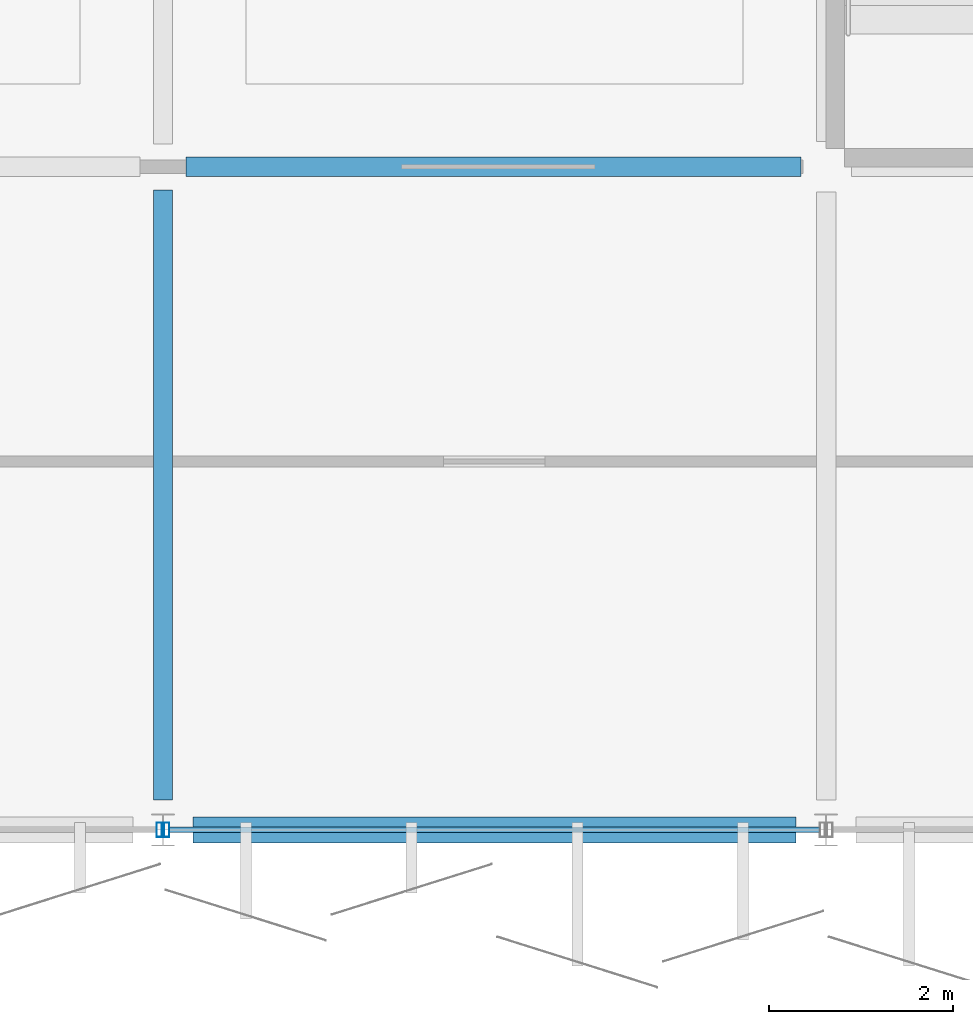
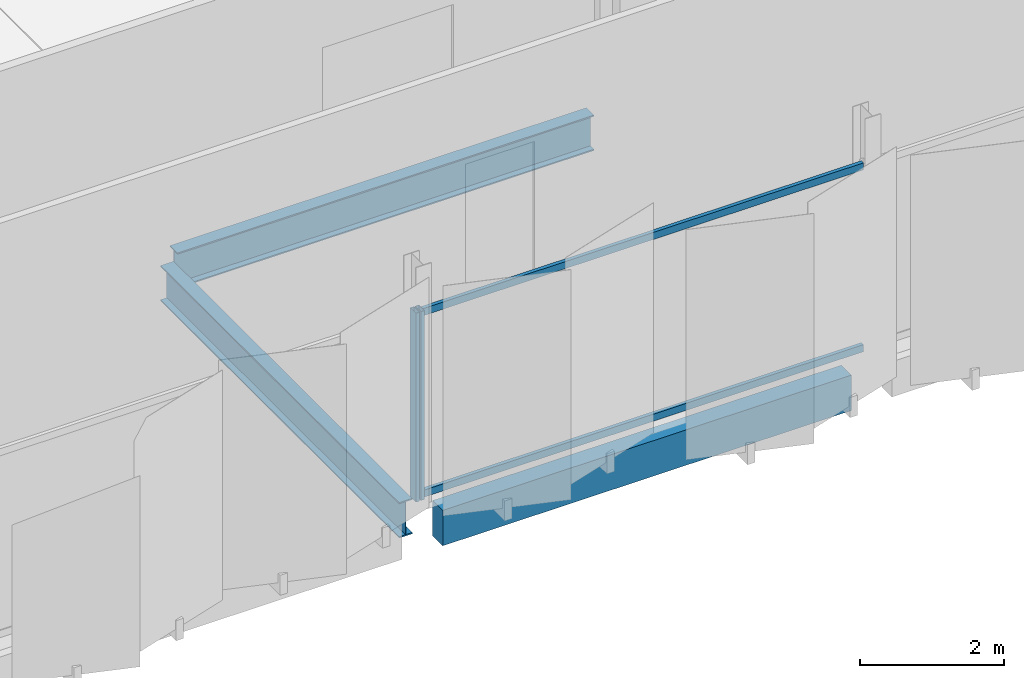
# One storey, part 30 of 91: 4 members, 3 beams, 2 elements without a shape of their own.
"""IFC4 building model written with IfcOpenShell, lengths in metres."""

from ifc_helpers import new_model, si_unit, direction, frame, origin, origin_2d, place, context, subcontext, project, spatial, rectangle, hollow_rectangle, i_section, extrude, material, layer, layer_set, material_profile, profile_set, type_object, element, aggregate, save


model = new_model("IFC4")

# Units and contexts
model_context = context("Model", 3, precision=1e-05, world=origin(), true_north=direction((0.0, 1.0)))
body_context = subcontext(model_context, "Body", "Model", "MODEL_VIEW")
ifc_project = project(units=[si_unit("LENGTHUNIT", "METRE"), si_unit("AREAUNIT", "SQUARE_METRE"), si_unit("VOLUMEUNIT", "CUBIC_METRE"), si_unit("PLANEANGLEUNIT", "RADIAN"), si_unit("MASSUNIT", "GRAM", prefix="KILO")], contexts=[model_context])

# Site, building, storey
site_placement = place(None, origin())
site = spatial("IfcSite", under=ifc_project, at=site_placement, CompositionType="ELEMENT")
building_placement = place(site_placement, origin())
building = spatial("IfcBuilding", under=site, at=building_placement, Name="Kangsadwip Square Police Headquarters", CompositionType="ELEMENT")
storey_placement = place(building_placement, frame((0.0, 0.0, 13.5)))
storey = spatial("IfcBuildingStorey", under=building, at=storey_placement, Name="L03", CompositionType="ELEMENT", Elevation=13.5)

# Curtain wall, member
ifc_material_1 = material(Name="Thermally broken anodised aluminium AW-6063-T6", Category="aluminium")
ifc_layer = layer(ifc_material_1, 0.159912109375)
ifc_layer_set = layer_set([ifc_layer], Name="Thermally broken anodised aluminium AW-6063-T6")
curtain_wall_type = type_object("IfcCurtainWallType", Name="CourtScreen7180x3200", PredefinedType="USERDEFINED", material=ifc_layer_set)
curtain_wall_1_placement = place(storey_placement, origin())
curtain_wall_1 = element("IfcCurtainWall", 1, at=curtain_wall_1_placement, inside=storey, type_object=curtain_wall_type, Name="Curtain Wall CW-L03-1152-0936", ObjectType="GLAZED_SCREEN", PredefinedType="USERDEFINED")
ifc_material_2 = material(Name="Thermally broken anodised aluminium AW-6063-T6", Category="aluminium")
ifc_material_profile_1 = material_profile(ifc_material_2, hollow_rectangle(XDim=0.06005859375, YDim=0.159912109375, WallThickness=0.00390625, at=origin_2d()), Name="CWM 160X60X4")
ifc_profile_set_1 = profile_set([ifc_material_profile_1], Name="Thermally broken anodised aluminium AW-6063-T6")
member_type_1 = type_object("IfcMemberType", Name="CwMullion135x60", PredefinedType="MULLION", material=ifc_profile_set_1)
member_1_placement = place(storey_placement, frame((122.360107421875, 93.60009765625, 0.0), z_axis=(0.0, 0.0, 1.0), x_axis=(1.0, 0.0, 0.0)))
member_1 = element("IfcMember", 2, at=member_1_placement, type_object=member_type_1, Name="CW-17 mullion 2", PredefinedType="MULLION", context=body_context, shape_type="SweptSolid", body=[
    extrude(hollow_rectangle(XDim=0.06005859375, YDim=0.159912109375, WallThickness=0.00390625, at=origin_2d()), origin(), (0.0, 0.0, 1.0), 3.199951171875),
])
aggregate(curtain_wall_1, [member_1])

# Curtain wall, members
curtain_wall_2_placement = place(storey_placement, origin())
curtain_wall_2 = element("IfcCurtainWall", 3, at=curtain_wall_2_placement, inside=storey, type_object=curtain_wall_type, Name="Curtain Wall CW-L03-1224-0936", ObjectType="GLAZED_SCREEN", PredefinedType="USERDEFINED")
member_2_placement = place(storey_placement, frame((122.43994140625, 93.60009765625, 0.0), z_axis=(0.0, 0.0, 1.0), x_axis=(1.0, 0.0, 0.0)))
member_2 = element("IfcMember", 4, at=member_2_placement, type_object=member_type_1, Name="CW-17 mullion 1", PredefinedType="MULLION", context=body_context, shape_type="SweptSolid", body=[
    extrude(hollow_rectangle(XDim=0.06005859375, YDim=0.159912109375, WallThickness=0.00390625, at=origin_2d()), origin(), (0.0, 0.0, 1.0), 3.199951171875),
])
ifc_material_3 = material(Name="Thermally broken anodised aluminium AW-6063-T6", Category="aluminium")
ifc_material_profile_2 = material_profile(ifc_material_3, hollow_rectangle(XDim=0.06005859375, YDim=0.1201171875, WallThickness=0.00390625, at=origin_2d()), Name="CWT 120X60X4")
ifc_profile_set_2 = profile_set([ifc_material_profile_2], Name="Thermally broken anodised aluminium AW-6063-T6")
member_type_2 = type_object("IfcMemberType", Name="CwTransom120x55", PredefinedType="USERDEFINED", material=ifc_profile_set_2)
member_3_placement = place(storey_placement, frame((122.469970703125, 93.60009765625, 0.06005859375), z_axis=(1.0, 0.0, 0.0), x_axis=(0.0, 1.0, 0.0)))
member_3 = element("IfcMember", 5, at=member_3_placement, type_object=member_type_2, Name="CW-17 transom 1.1", ObjectType="TRANSOM", PredefinedType="USERDEFINED", context=body_context, shape_type="SweptSolid", body=[
    extrude(hollow_rectangle(XDim=0.06005859375, YDim=0.1201171875, WallThickness=0.00390625, at=origin_2d()), origin(), (0.0, 0.0, 1.0), 7.06005859375),
])
member_4_placement = place(storey_placement, frame((122.469970703125, 93.60009765625, 3.139892578125), z_axis=(1.0, 0.0, 0.0), x_axis=(0.0, 1.0, 0.0)))
member_4 = element("IfcMember", 6, at=member_4_placement, type_object=member_type_2, Name="CW-17 transom 1.2", ObjectType="TRANSOM", PredefinedType="USERDEFINED", context=body_context, shape_type="SweptSolid", body=[
    extrude(hollow_rectangle(XDim=0.06005859375, YDim=0.1201171875, WallThickness=0.00390625, at=origin_2d()), origin(), (0.0, 0.0, 1.0), 7.06005859375),
])
aggregate(curtain_wall_2, [member_2, member_3, member_4])

# Beams
ifc_material_4 = material(Name="Concrete M40 (40 MPa)", Category="concrete")
ifc_material_profile_3 = material_profile(ifc_material_4, rectangle(XDim=0.280029296875, YDim=0.60009765625, at=origin_2d()), Name="RC SPN 600X280")
ifc_profile_set_3 = profile_set([ifc_material_profile_3], Name="Concrete M40 (40 MPa)")
beam_type_1 = type_object("IfcBeamType", Name="RcSpandrel600x280", PredefinedType="SPANDREL", material=ifc_profile_set_3)
beam_1_placement = place(storey_placement, frame((122.72509765625, 93.60009765625, -0.5400390625), z_axis=(1.0, 0.0, 0.0), x_axis=(0.0, 1.0, 0.0)))
element("IfcBeam", 7, at=beam_1_placement, inside=storey, type_object=beam_type_1, Name="Beam BM-L03-X-17-13", PredefinedType="SPANDREL", context=body_context, shape_type="SweptSolid", body=[
    extrude(rectangle(XDim=0.280029296875, YDim=0.60009765625, at=origin_2d()), origin(), (0.0, 0.0, 1.0), 6.5498046875),
])
ifc_material_5 = material(Name="Structural steel IS 2062 E350 (Grade 350, 350 MPa)", Category="steel")
ifc_material_profile_4 = material_profile(ifc_material_5, i_section(OverallWidth=0.2099609375, OverallDepth=0.60009765625, WebThickness=0.011962890625, FlangeThickness=0.020751953125, at=origin_2d()), Name="ISMB 600")
ifc_profile_set_4 = profile_set([ifc_material_profile_4], Name="Structural steel IS 2062 E350 (Grade 350, 350 MPa)")
beam_type_2 = type_object("IfcBeamType", Name="SteelBeamIsmb600", PredefinedType="BEAM", material=ifc_profile_set_4)
beam_2_placement = place(storey_placement, frame((122.64990234375, 100.800048828125, -0.5400390625), z_axis=(1.0, 0.0, 0.0), x_axis=(0.0, 1.0, 0.0)))
element("IfcBeam", 8, at=beam_2_placement, inside=storey, type_object=beam_type_2, Name="Beam BM-L03-X-17-14", PredefinedType="BEAM", context=body_context, shape_type="SweptSolid", body=[
    extrude(i_section(OverallWidth=0.2099609375, OverallDepth=0.60009765625, WebThickness=0.011962890625, FlangeThickness=0.020751953125, at=origin_2d()), origin(), (0.0, 0.0, 1.0), 6.675048828125),
])
beam_3_placement = place(storey_placement, frame((122.39990234375, 93.925048828125, -0.5400390625), z_axis=(0.0, 1.0, 0.0), x_axis=(-1.0, 0.0, 0.0)))
element("IfcBeam", 9, at=beam_3_placement, inside=storey, type_object=beam_type_2, Name="Beam BM-L03-Y-17-13", PredefinedType="BEAM", context=body_context, shape_type="SweptSolid", body=[
    extrude(i_section(OverallWidth=0.2099609375, OverallDepth=0.60009765625, WebThickness=0.011962890625, FlangeThickness=0.020751953125, at=origin_2d()), origin(), (0.0, 0.0, 1.0), 6.625),
])

save(model, "model.ifc")
